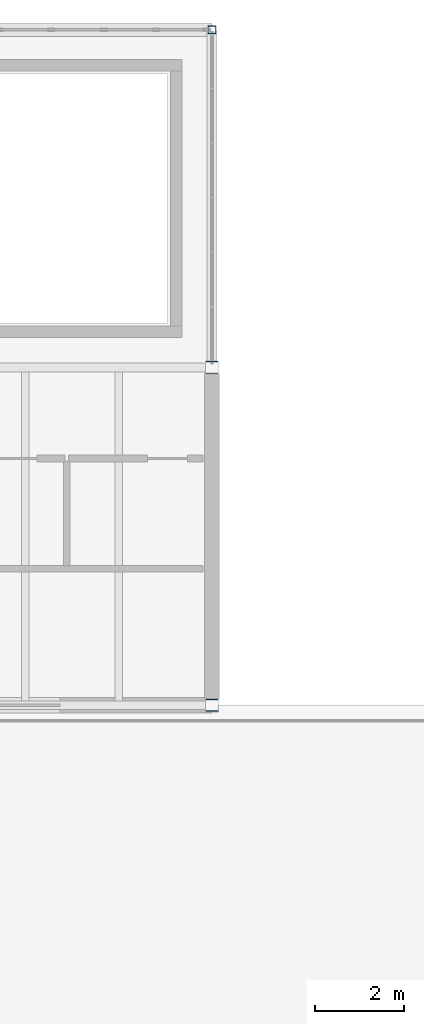
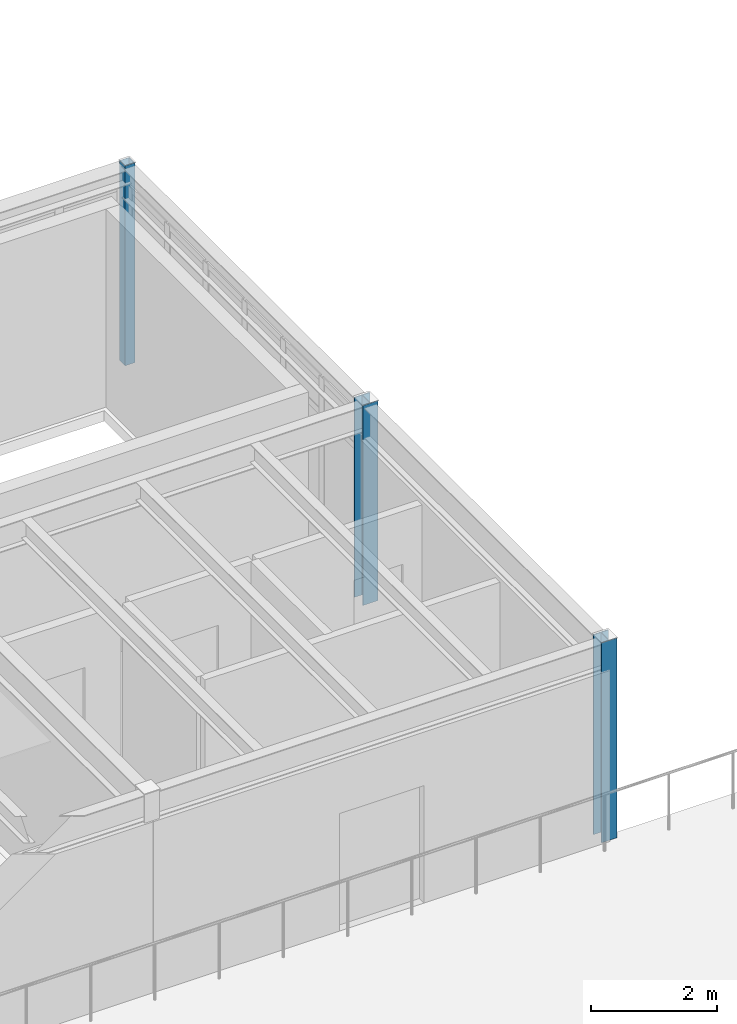
# One storey, part 3 of 26: 3 columns.
"""IFC4 building model written with IfcOpenShell, lengths in metres."""

import ifcopenshell
import ifcopenshell.guid

model = None  # the IFC model being written
_history = None  # IfcOwnerHistory: only IFC2X3 demands one
_inside = {}  # id of a spatial element -> (the spatial element, [elements in it])
_under = {}  # id of a project, library or spatial element -> (it, [spatial elements below it])
_declared = {}  # id of a project -> (the project, [libraries it declares])
_typed = {}  # id of a type object -> (the type object, [elements of that type])
_made_of = {}  # id of a material, layer set ... -> (it, [elements and type objects made of it])


def new_model(schema):
    """Start an empty IFC model of exactly this schema.

    Asked for "IFC4X3", IfcOpenShell would pick the latest addendum, in which some entities
    have other attributes; the version numbers below select the first issue.
    IFC2X3 requires an IfcOwnerHistory on every rooted entity: one is made here for all.
    """
    global model, _history
    if schema == "IFC4X3":
        model = ifcopenshell.file(schema_version=(4, 3, 0, 0))
    else:
        model = ifcopenshell.file(schema=schema)
    _inside.clear()
    _under.clear()
    _declared.clear()
    _typed.clear()
    _made_of.clear()
    _history = None
    if model.schema == "IFC2X3":
        org = make("IfcOrganization", Name="unknown")
        user = make(
            "IfcPersonAndOrganization",
            ThePerson=make("IfcPerson", FamilyName="unknown"),
            TheOrganization=org,
        )
        app = make(
            "IfcApplication",
            ApplicationDeveloper=org,
            Version="unknown",
            ApplicationFullName="unknown",
            ApplicationIdentifier="unknown",
        )
        _history = make(
            "IfcOwnerHistory",
            OwningUser=user,
            OwningApplication=app,
            ChangeAction="ADDED",
            CreationDate=0,
        )
    return model


def make(cls, **values):
    """One entity of the class cls with the attributes given. An attribute that is None is left unset."""
    return model.create_entity(
        cls, **{name: value for name, value in values.items() if value is not None}
    )


def rooted(cls, **values):
    """An entity with a GlobalId (a new one), such as an element, a storey or a relation."""
    return make(cls, GlobalId=ifcopenshell.guid.new(), OwnerHistory=_history, **values)


def si_unit(unit_type, name, prefix=None):
    """IfcSIUnit, for example si_unit("LENGTHUNIT", "METRE", prefix="MILLI")."""
    return make("IfcSIUnit", UnitType=unit_type, Prefix=prefix, Name=name)


def assignment(units):
    """IfcUnitAssignment: the units of a project."""
    return None if units is None else make("IfcUnitAssignment", Units=units)


def point(xyz):
    """IfcCartesianPoint."""
    return None if xyz is None else make("IfcCartesianPoint", Coordinates=xyz)


def direction(xyz):
    """IfcDirection."""
    return None if xyz is None else make("IfcDirection", DirectionRatios=xyz)


def frame(location, z_axis=None, x_axis=None):
    """IfcAxis2Placement3D, a coordinate frame: its origin and axes. An axis left out is left unset."""
    return make(
        "IfcAxis2Placement3D",
        Location=point(location),
        Axis=direction(z_axis),
        RefDirection=direction(x_axis),
    )


def frame_2d(location, x_axis=None):
    """IfcAxis2Placement2D, a coordinate frame in the plane: its origin and x axis."""
    return make(
        "IfcAxis2Placement2D", Location=point(location), RefDirection=direction(x_axis)
    )


def origin():
    """The frame at (0, 0, 0) with its axes left unset."""
    return frame((0.0, 0.0, 0.0))


def origin_2d():
    """The frame at (0, 0) in the plane with its x axis left unset."""
    return frame_2d((0.0, 0.0))


def place(relative_to, where):
    """IfcLocalPlacement: puts the frame where relative to a parent placement (None: the world)."""
    return make(
        "IfcLocalPlacement", PlacementRelTo=relative_to, RelativePlacement=where
    )


def context(
    kind, dimensions, precision=None, world=None, true_north=None, identifier=None
):
    """IfcGeometricRepresentationContext, for example the 3D "Model" context."""
    return make(
        "IfcGeometricRepresentationContext",
        ContextIdentifier=identifier,
        ContextType=kind,
        CoordinateSpaceDimension=dimensions,
        Precision=precision,
        WorldCoordinateSystem=world,
        TrueNorth=true_north,
    )


def subcontext(parent, identifier, kind, view, scale=None):
    """IfcGeometricRepresentationSubContext, for example "Body" below "Model"."""
    return make(
        "IfcGeometricRepresentationSubContext",
        ContextIdentifier=identifier,
        ContextType=kind,
        ParentContext=parent,
        TargetScale=scale,
        TargetView=view,
    )


def project(units=None, contexts=None):
    """IfcProject with its units and contexts."""
    return rooted(
        "IfcProject",
        Name="project",
        RepresentationContexts=contexts,
        UnitsInContext=assignment(units),
    )


def spatial(cls, under=None, at=None, **own):
    """A site, building, storey or space (cls), placed at a placement, below another one or the project."""
    s = rooted(cls, ObjectPlacement=at, **own)
    if under is not None:
        _under.setdefault(under.id(), (under, []))[1].append(s)
    return s


def profile(cls, at=None, kind="AREA", **sizes):
    """A parametric profile (cls). Its sizes go by their IFC names, for example OverallWidth=200.0."""
    return make(cls, ProfileType=kind, Position=at, **sizes)


def hollow_rectangle(**sizes):
    """IfcRectangleHollowProfileDef."""
    return profile("IfcRectangleHollowProfileDef", **sizes)


def i_section(**sizes):
    """IfcIShapeProfileDef."""
    return profile("IfcIShapeProfileDef", **sizes)


def extrude(swept, where, along, depth):
    """IfcExtrudedAreaSolid: the profile swept, set in the frame where, extruded along a direction by depth."""
    return make(
        "IfcExtrudedAreaSolid",
        SweptArea=swept,
        Position=where,
        ExtrudedDirection=direction(along),
        Depth=depth,
    )


def shape(context_of_items, identifier, shape_type, items):
    """IfcShapeRepresentation: the items that make up one representation, for example the "Body"."""
    return make(
        "IfcShapeRepresentation",
        ContextOfItems=context_of_items,
        RepresentationIdentifier=identifier,
        RepresentationType=shape_type,
        Items=items,
    )


def material(Name=None, Category=None):
    """IfcMaterial."""
    return make("IfcMaterial", Name=Name, Category=Category)


def material_profile(
    of_material, cross_section, Name=None, Category=None, Priority=None
):
    """IfcMaterialProfile: a cross section and its material."""
    return make(
        "IfcMaterialProfile",
        Name=Name,
        Material=of_material,
        Profile=cross_section,
        Priority=Priority,
        Category=Category,
    )


def profile_set(profiles, Name=None, composite=None):
    """IfcMaterialProfileSet."""
    return make(
        "IfcMaterialProfileSet",
        Name=Name,
        MaterialProfiles=profiles,
        CompositeProfile=composite,
    )


def made_of(thing, what):
    """Note that an element or type object is made of a material, layer set ...; save() writes the relation."""
    if what is not None:
        _made_of.setdefault(what.id(), (what, []))[1].append(thing)
    return thing


def type_object(cls, material=None, **own):
    """A type object (cls), such as IfcWallType, which elements share."""
    return made_of(rooted(cls, **own), material)


def element(
    cls,
    number,
    at=None,
    inside=None,
    cuts=None,
    type_object=None,
    material=None,
    context=None,
    identifier="Body",
    shape_type=None,
    held_by="IfcProductDefinitionShape",
    body=None,
    shapes=None,
    **own,
):
    """One element of the class cls, such as IfcWall. Its Tag is "e" and its number.

    at: its placement. inside: the storey or other place that contains it. cuts: it is an
    opening in that element (IfcRelVoidsElement). A single representation is given by context,
    identifier, shape_type and body (its items); several are given by shapes. held_by: the class
    of the entity that holds the representations. save() writes the other relations.
    """
    e = rooted(cls, Tag="e%d" % number, ObjectPlacement=at, **own)
    if body is not None:
        shapes = [shape(context, identifier, shape_type, body)]
    if shapes is not None:
        e.Representation = make(held_by, Representations=shapes)
    if inside is not None:
        _inside.setdefault(inside.id(), (inside, []))[1].append(e)
    if cuts is not None:
        rooted(
            "IfcRelVoidsElement", RelatingBuildingElement=cuts, RelatedOpeningElement=e
        )
    if type_object is not None:
        _typed.setdefault(type_object.id(), (type_object, []))[1].append(e)
    return made_of(e, material)


def aggregate(whole, parts):
    """IfcRelAggregates: a whole, such as a stair, and the parts it consists of."""
    return rooted("IfcRelAggregates", RelatingObject=whole, RelatedObjects=parts)


def save(model, path):
    """Write the relations noted so far, then the file.

    IfcRelAggregates (storeys below a building ...), IfcRelContainedInSpatialStructure (elements
    in a storey), IfcRelDefinesByType, IfcRelAssociatesMaterial and IfcRelDeclares: one each for
    every whole, place, type object, material and project.
    """
    for whole, parts in _under.values():
        aggregate(whole, parts)
    for where, things in _inside.values():
        rooted(
            "IfcRelContainedInSpatialStructure",
            RelatedElements=things,
            RelatingStructure=where,
        )
    for kind, things in _typed.values():
        rooted("IfcRelDefinesByType", RelatedObjects=things, RelatingType=kind)
    for what, things in _made_of.values():
        rooted("IfcRelAssociatesMaterial", RelatedObjects=things, RelatingMaterial=what)
    for by, libraries in _declared.values():
        rooted("IfcRelDeclares", RelatingContext=by, RelatedDefinitions=libraries)
    model.write(path)


model = new_model("IFC4")

# Units and contexts
model_context = context("Model", 3, precision=1e-05, world=origin(), true_north=direction((0.0, 1.0)))
body_context = subcontext(model_context, "Body", "Model", "MODEL_VIEW")
ifc_project = project(units=[si_unit("LENGTHUNIT", "METRE"), si_unit("AREAUNIT", "SQUARE_METRE"), si_unit("VOLUMEUNIT", "CUBIC_METRE"), si_unit("PLANEANGLEUNIT", "RADIAN"), si_unit("MASSUNIT", "GRAM", prefix="KILO")], contexts=[model_context])

# Site, building, storey
site_placement = place(None, origin())
site = spatial("IfcSite", under=ifc_project, at=site_placement, CompositionType="ELEMENT")
building_placement = place(site_placement, origin())
building = spatial("IfcBuilding", under=site, at=building_placement, Name="Montecoro Central Library", CompositionType="ELEMENT")
storey_placement = place(building_placement, frame((0.0, 0.0, 21.419921875)))
storey = spatial("IfcBuildingStorey", under=building, at=storey_placement, Name="L05", CompositionType="ELEMENT", Elevation=21.419921875)

# Columns
ifc_material = material(Name="Steel S355", Category="steel")
ifc_material_profile_1 = material_profile(ifc_material, i_section(OverallWidth=0.280029296875, OverallDepth=0.280029296875, WebThickness=0.010498046875, FlangeThickness=0.01806640625, at=origin_2d()), Name="HEB 280")
ifc_profile_set_1 = profile_set([ifc_material_profile_1], Name="Steel S355")
column_type_1 = type_object("IfcColumnType", Name="COL-HEB280", PredefinedType="COLUMN", material=ifc_profile_set_1)
for number, where, z_axis, x_axis, name in (
    (1, (108.39990234375, 103.800048828125, 0.0), (0.0, 0.0, 1.0), (1.0, 0.0, 0.0), "V2-L05-COL-14-P"),
    (2, (108.39990234375, 111.39990234375, 0.0), (0.0, 0.0, 1.0), (1.0, 0.0, 0.0), "V2-L05-COL-14-Q"),
):
    element("IfcColumn", number, at=place(storey_placement, frame(where, z_axis=z_axis, x_axis=x_axis)), inside=storey, type_object=column_type_1, Name=name, PredefinedType="COLUMN", context=body_context, shape_type="SweptSolid", body=[
        extrude(i_section(OverallWidth=0.280029296875, OverallDepth=0.280029296875, WebThickness=0.010498046875, FlangeThickness=0.01806640625, at=origin_2d()), origin(), (0.0, 0.0, 1.0), 3.880126953125),
    ])
ifc_material_profile_2 = material_profile(ifc_material, hollow_rectangle(XDim=0.179931640625, YDim=0.179931640625, WallThickness=0.010009765625, at=origin_2d()), Name="SHS 180x180x10.0")
ifc_profile_set_2 = profile_set([ifc_material_profile_2], Name="Steel S355")
column_type_2 = type_object("IfcColumnType", Name="COL-SHS180", PredefinedType="COLUMN", material=ifc_profile_set_2)
column_placement = place(storey_placement, frame((108.39990234375, 119.0, 0.0), z_axis=(0.0, 0.0, 1.0), x_axis=(1.0, 0.0, 0.0)))
element("IfcColumn", 3, at=column_placement, inside=storey, type_object=column_type_2, Name="V2-L05-COL-14-R", PredefinedType="COLUMN", context=body_context, shape_type="SweptSolid", body=[
    extrude(hollow_rectangle(XDim=0.179931640625, YDim=0.179931640625, WallThickness=0.010009765625, at=origin_2d()), origin(), (0.0, 0.0, 1.0), 3.880126953125),
])

save(model, "model.ifc")
